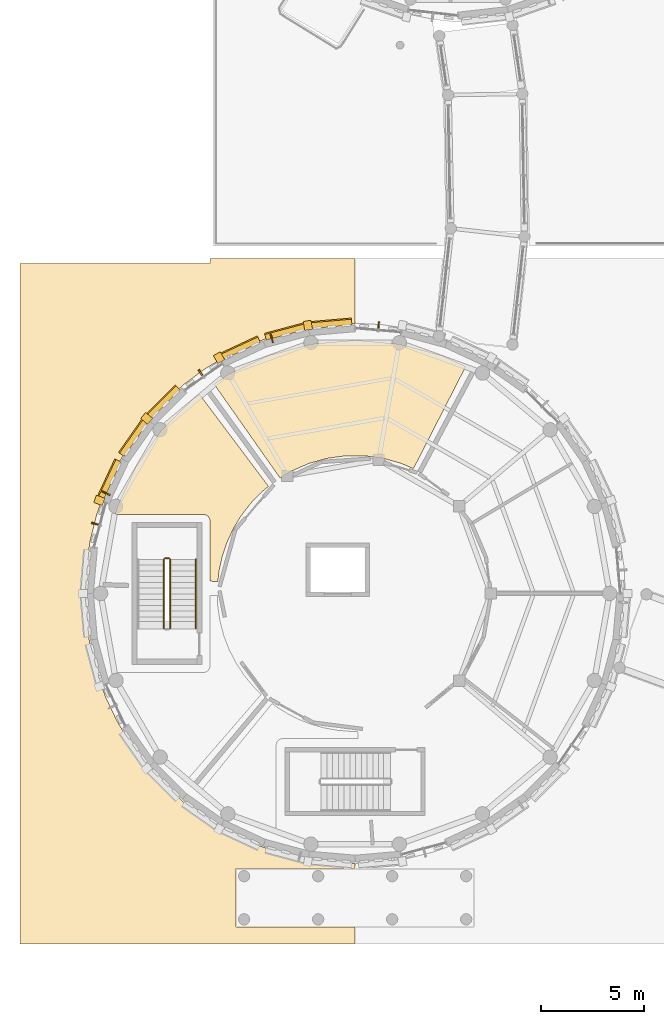
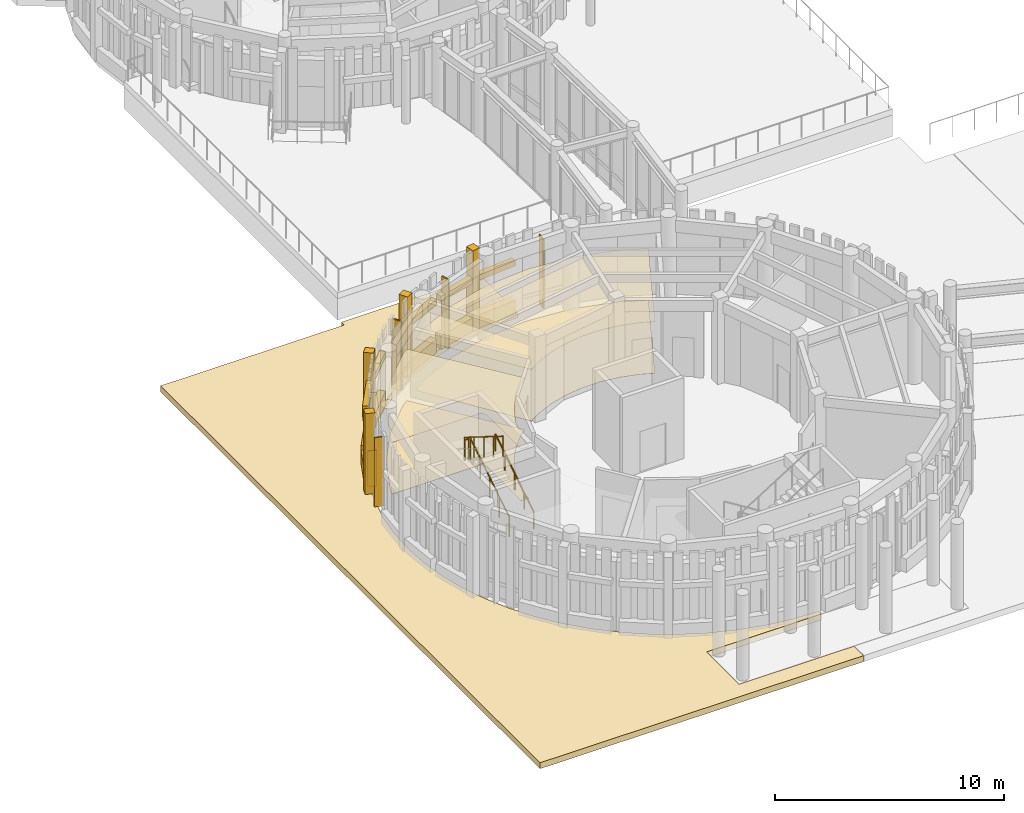
# One storey, part 68 of 94: 21 coverings, 5 shading devices, 4 railings.
"""IFC4 building model written with IfcOpenShell, lengths in metres."""

from ifc_helpers import new_model, si_unit, direction, frame, origin, origin_2d, place, context, subcontext, project, spatial, polyline, rectangle, circle, outline, extrude, material, layer, layer_set, type_object, element, save


model = new_model("IFC4")

# Units and contexts
model_context = context("Model", 3, precision=1e-05, world=origin(), true_north=direction((0.0, 1.0)))
body_context = subcontext(model_context, "Body", "Model", "MODEL_VIEW")
ifc_project = project(units=[si_unit("LENGTHUNIT", "METRE"), si_unit("AREAUNIT", "SQUARE_METRE"), si_unit("VOLUMEUNIT", "CUBIC_METRE"), si_unit("PLANEANGLEUNIT", "RADIAN"), si_unit("MASSUNIT", "GRAM", prefix="KILO")], contexts=[model_context])

# Site, building, storey
site_placement = place(None, origin())
site = spatial("IfcSite", under=ifc_project, at=site_placement, CompositionType="ELEMENT")
building_placement = place(site_placement, origin())
building = spatial("IfcBuilding", under=site, at=building_placement, Name="Aldenvaro Health Centre", CompositionType="ELEMENT")
storey_placement = place(building_placement, origin())
storey = spatial("IfcBuildingStorey", under=building, at=storey_placement, Name="L00", CompositionType="ELEMENT", Elevation=0.0)

# Coverings
ifc_material_1 = material(Name="Antimicrobial Mineral Fibre Ceiling")
ifc_layer_1 = layer(ifc_material_1, 0.01806640625, Name="Antimicrobial Mineral Fibre Ceiling")
ifc_layer_set_1 = layer_set([ifc_layer_1], Name="Antimicrobial Mineral Fibre Ceiling")
covering_type_1 = type_object("IfcCoveringType", Name="COV-CLG-ACT18", PredefinedType="CEILING", material=ifc_layer_set_1)
covering_1_placement = place(storey_placement, frame((0.0, 0.0, 2.75)))
element("IfcCovering", 1, at=covering_1_placement, inside=storey, type_object=covering_type_1, Name="D5-L00-R01 Suspended Ceiling", PredefinedType="CEILING", context=body_context, shape_type="SweptSolid", body=[
    extrude(outline(polyline([(20.736083984375, 24.825927734375), (20.705078125, 24.8369140625), (19.85888671875, 25.070068359375), (19.826904296875, 25.076904296875), (18.9580078125, 25.194091796875), (18.926025390625, 25.196044921875), (18.048095703125, 25.194091796875), (18.01611328125, 25.19189453125), (17.14697265625, 25.072021484375), (17.114990234375, 25.06494140625), (16.27001953125, 24.827880859375), (16.239013671875, 24.81689453125), (15.43505859375, 24.468017578125), (15.406005859375, 24.452880859375), (14.846923828125, 24.114990234375), (11.639892578125, 28.677978515625), (12.341064453125, 29.1689453125), (14.287109375, 30.075927734375), (16.361083984375, 30.632080078125), (18.5, 30.819091796875), (20.638916015625, 30.632080078125), (22.712890625, 30.075927734375), (23.876953125, 29.533935546875), (21.3359375, 24.569091796875), (20.736083984375, 24.825927734375)])), origin(), (0.0, 0.0, 1.0), 0.01806640625),
])
covering_2_placement = place(storey_placement, frame((0.0, 0.0, 2.75)))
element("IfcCovering", 2, at=covering_2_placement, inside=storey, type_object=covering_type_1, Name="D5-L00-R02 Suspended Ceiling", PredefinedType="CEILING", context=body_context, shape_type="SweptSolid", body=[
    extrude(outline(polyline([(13.9189453125, 23.402099609375), (13.89892578125, 23.384033203125), (13.409912109375, 22.8720703125), (13.39306640625, 22.85205078125), (12.962890625, 22.2890625), (12.947998046875, 22.26806640625), (12.58203125, 21.662109375), (12.570068359375, 21.637939453125), (12.27197265625, 20.99609375), (12.261962890625, 20.970947265625), (12.035888671875, 20.300048828125), (12.029052734375, 20.27490234375), (11.8779296875, 19.5830078125), (11.8740234375, 19.556884765625), (11.823974609375, 19.0791015625), (11.43994140625, 19.097900390625), (11.43994140625, 22.02001953125), (11.43994140625, 22.031982421875), (11.43896484375, 22.0400390625), (11.43701171875, 22.06298828125), (11.43603515625, 22.071044921875), (11.430908203125, 22.093994140625), (11.428955078125, 22.10205078125), (11.423095703125, 22.1240234375), (11.419921875, 22.131103515625), (11.410888671875, 22.153076171875), (11.407958984375, 22.159912109375), (11.39599609375, 22.180908203125), (11.39208984375, 22.18798828125), (11.37890625, 22.20703125), (11.375, 22.214111328125), (11.360107421875, 22.23193359375), (11.35400390625, 22.238037109375), (11.337890625, 22.25390625), (11.33203125, 22.260009765625), (11.31396484375, 22.27490234375), (11.306884765625, 22.279052734375), (11.2880859375, 22.2919921875), (11.281005859375, 22.2958984375), (11.260009765625, 22.30810546875), (11.2529296875, 22.31103515625), (11.23095703125, 22.320068359375), (11.22412109375, 22.322998046875), (11.201904296875, 22.3291015625), (11.194091796875, 22.3310546875), (11.1708984375, 22.3359375), (11.1630859375, 22.3369140625), (11.139892578125, 22.339111328125), (11.132080078125, 22.340087890625), (11.1201171875, 22.340087890625), (6.823974609375, 22.340087890625), (6.924072265625, 22.712890625), (7.8310546875, 24.658935546875), (9.06298828125, 26.4189453125), (10.5810546875, 27.93701171875), (10.930908203125, 28.181884765625), (14.287109375, 23.7119140625), (13.9189453125, 23.402099609375)])), origin(), (0.0, 0.0, 1.0), 0.01806640625),
])
ifc_material_2 = material(Name="Honed Sonoran Buff Limestone", Category="masonry")
ifc_layer_2 = layer(ifc_material_2, 0.280029296875, Name="Honed Sonoran Buff Limestone", Category="masonry")
ifc_layer_set_2 = layer_set([ifc_layer_2], Name="Honed Sonoran Buff Limestone")
covering_type_2 = type_object("IfcCoveringType", Name="COV-CRN-STN", PredefinedType="CLADDING", material=ifc_layer_set_2)
covering_3_placement = place(storey_placement, frame((6.544921875, 24.074951171875, 0.0), z_axis=(0.0, 0.0, 1.0), x_axis=(0.422495879545, 0.906364844733, 0.0)))
element("IfcCovering", 3, at=covering_3_placement, inside=storey, type_object=covering_type_2, Name="D5 L00 Rusticated Limestone Plinth 21.1", PredefinedType="CLADDING", context=body_context, shape_type="SweptSolid", body=[
    extrude(rectangle(XDim=1.968994140625, YDim=0.340087890625, at=origin_2d()), origin(), (0.0, 0.0, 1.0), 0.719970703125),
])
covering_4_placement = place(storey_placement, frame((6.572021484375, 24.06201171875, 2.5498046875), z_axis=(0.0, 0.0, 1.0), x_axis=(0.422495879545, 0.906364844733, 0.0)))
element("IfcCovering", 4, at=covering_4_placement, inside=storey, type_object=covering_type_2, Name="D5 L00 Rusticated Limestone Plinth 21.2", PredefinedType="CLADDING", context=body_context, shape_type="SweptSolid", body=[
    extrude(rectangle(XDim=1.968994140625, YDim=0.280029296875, at=origin_2d()), origin(), (0.0, 0.0, 1.0), 0.280029296875),
])
covering_5_placement = place(storey_placement, frame((6.05810546875, 23.028076171875, -0.00048828125), z_axis=(0.0, 0.0, 1.0), x_axis=(-0.939693796234, 0.34201691379, 0.0)))
element("IfcCovering", 5, at=covering_5_placement, inside=storey, type_object=covering_type_2, Name="D5 L00 Engaged Classical Limestone Pilaster 11", PredefinedType="CLADDING", context=body_context, shape_type="SweptSolid", body=[
    extrude(rectangle(XDim=0.43994140625, YDim=0.3798828125, at=origin_2d()), origin(), (0.0, 0.0, 1.0), 4.304931640625),
])
covering_6_placement = place(storey_placement, frame((7.695068359375, 26.06591796875, 0.0), z_axis=(0.0, 0.0, 1.0), x_axis=(0.573641397746, 0.819106553991, 0.0)))
element("IfcCovering", 6, at=covering_6_placement, inside=storey, type_object=covering_type_2, Name="D5 L00 Rusticated Limestone Plinth 22.1", PredefinedType="CLADDING", context=body_context, shape_type="SweptSolid", body=[
    extrude(rectangle(XDim=1.968994140625, YDim=0.340087890625, at=origin_2d()), origin(), (0.0, 0.0, 1.0), 0.719970703125),
])
covering_7_placement = place(storey_placement, frame((7.718994140625, 26.049072265625, 2.5498046875), z_axis=(0.0, 0.0, 1.0), x_axis=(0.573641397746, 0.819106553991, 0.0)))
element("IfcCovering", 7, at=covering_7_placement, inside=storey, type_object=covering_type_2, Name="D5 L00 Rusticated Limestone Plinth 22.2", PredefinedType="CLADDING", context=body_context, shape_type="SweptSolid", body=[
    extrude(rectangle(XDim=1.968994140625, YDim=0.280029296875, at=origin_2d()), origin(), (0.0, 0.0, 1.0), 0.280029296875),
])
covering_8_placement = place(storey_placement, frame((9.173095703125, 27.826904296875, 0.0), z_axis=(0.0, 0.0, 1.0), x_axis=(0.707106781187, 0.707106781187, 0.0)))
element("IfcCovering", 8, at=covering_8_placement, inside=storey, type_object=covering_type_2, Name="D5 L00 Rusticated Limestone Plinth 23.1", PredefinedType="CLADDING", context=body_context, shape_type="SweptSolid", body=[
    extrude(rectangle(XDim=1.968994140625, YDim=0.340087890625, at=origin_2d()), origin(), (0.0, 0.0, 1.0), 0.719970703125),
])
covering_9_placement = place(storey_placement, frame((9.194091796875, 27.805908203125, 2.5498046875), z_axis=(0.0, 0.0, 1.0), x_axis=(0.707106781187, 0.707106781187, 0.0)))
element("IfcCovering", 9, at=covering_9_placement, inside=storey, type_object=covering_type_2, Name="D5 L00 Rusticated Limestone Plinth 23.2", PredefinedType="CLADDING", context=body_context, shape_type="SweptSolid", body=[
    extrude(rectangle(XDim=1.968994140625, YDim=0.280029296875, at=origin_2d()), origin(), (0.0, 0.0, 1.0), 0.280029296875),
])
covering_10_placement = place(storey_placement, frame((8.35791015625, 27.010986328125, -0.00048828125), z_axis=(0.0, 0.0, 1.0), x_axis=(-0.76604377724, 0.642788403249, 0.0)))
element("IfcCovering", 10, at=covering_10_placement, inside=storey, type_object=covering_type_2, Name="D5 L00 Engaged Classical Limestone Pilaster 12", PredefinedType="CLADDING", context=body_context, shape_type="SweptSolid", body=[
    extrude(rectangle(XDim=0.43994140625, YDim=0.3798828125, at=origin_2d()), origin(), (0.0, 0.0, 1.0), 4.304931640625),
])
covering_11_placement = place(storey_placement, frame((12.925048828125, 30.455078125, 0.0), z_axis=(0.0, 0.0, 1.0), x_axis=(0.906364844733, 0.422495879545, 0.0)))
element("IfcCovering", 11, at=covering_11_placement, inside=storey, type_object=covering_type_2, Name="D5 L00 Rusticated Limestone Plinth 25.1", PredefinedType="CLADDING", context=body_context, shape_type="SweptSolid", body=[
    extrude(rectangle(XDim=1.968994140625, YDim=0.340087890625, at=origin_2d()), origin(), (0.0, 0.0, 1.0), 0.719970703125),
])
covering_12_placement = place(storey_placement, frame((12.93798828125, 30.427978515625, 2.5498046875), z_axis=(0.0, 0.0, 1.0), x_axis=(0.906364844733, 0.422495879545, 0.0)))
element("IfcCovering", 12, at=covering_12_placement, inside=storey, type_object=covering_type_2, Name="D5 L00 Rusticated Limestone Plinth 25.2", PredefinedType="CLADDING", context=body_context, shape_type="SweptSolid", body=[
    extrude(rectangle(XDim=1.968994140625, YDim=0.280029296875, at=origin_2d()), origin(), (0.0, 0.0, 1.0), 0.280029296875),
])
covering_13_placement = place(storey_placement, frame((11.8798828125, 29.966064453125, -0.00048828125), z_axis=(0.0, 0.0, 1.0), x_axis=(-0.499990860177, 0.8660306806, 0.0)))
element("IfcCovering", 13, at=covering_13_placement, inside=storey, type_object=covering_type_2, Name="D5 L00 Engaged Classical Limestone Pilaster 13", PredefinedType="CLADDING", context=body_context, shape_type="SweptSolid", body=[
    extrude(rectangle(XDim=0.43994140625, YDim=0.3798828125, at=origin_2d()), origin(), (0.0, 0.0, 1.0), 4.304931640625),
])
covering_14_placement = place(storey_placement, frame((15.0859375, 31.240966796875, 0.0), z_axis=(0.0, 0.0, 1.0), x_axis=(0.9659242304, 0.258825000966, 0.0)))
element("IfcCovering", 14, at=covering_14_placement, inside=storey, type_object=covering_type_2, Name="D5 L00 Rusticated Limestone Plinth 26.1", PredefinedType="CLADDING", context=body_context, shape_type="SweptSolid", body=[
    extrude(rectangle(XDim=1.968994140625, YDim=0.340087890625, at=origin_2d()), origin(), (0.0, 0.0, 1.0), 0.719970703125),
])
covering_15_placement = place(storey_placement, frame((15.093994140625, 31.2119140625, 2.5498046875), z_axis=(0.0, 0.0, 1.0), x_axis=(0.9659242304, 0.258825000966, 0.0)))
element("IfcCovering", 15, at=covering_15_placement, inside=storey, type_object=covering_type_2, Name="D5 L00 Rusticated Limestone Plinth 26.2", PredefinedType="CLADDING", context=body_context, shape_type="SweptSolid", body=[
    extrude(rectangle(XDim=1.968994140625, YDim=0.280029296875, at=origin_2d()), origin(), (0.0, 0.0, 1.0), 0.280029296875),
])
covering_16_placement = place(storey_placement, frame((17.35009765625, 31.64111328125, 0.0), z_axis=(0.0, 0.0, 1.0), x_axis=(0.996193717495, 0.087166950289, 0.0)))
element("IfcCovering", 16, at=covering_16_placement, inside=storey, type_object=covering_type_2, Name="D5 L00 Rusticated Limestone Plinth 27.1", PredefinedType="CLADDING", context=body_context, shape_type="SweptSolid", body=[
    extrude(rectangle(XDim=1.968994140625, YDim=0.340087890625, at=origin_2d()), origin(), (0.0, 0.0, 1.0), 0.719970703125),
])
covering_17_placement = place(storey_placement, frame((17.35302734375, 31.611083984375, 2.5498046875), z_axis=(0.0, 0.0, 1.0), x_axis=(0.996193717495, 0.087166950289, 0.0)))
element("IfcCovering", 17, at=covering_17_placement, inside=storey, type_object=covering_type_2, Name="D5 L00 Rusticated Limestone Plinth 27.2", PredefinedType="CLADDING", context=body_context, shape_type="SweptSolid", body=[
    extrude(rectangle(XDim=1.968994140625, YDim=0.280029296875, at=origin_2d()), origin(), (0.0, 0.0, 1.0), 0.280029296875),
])
covering_18_placement = place(storey_placement, frame((16.200927734375, 31.5390625, -0.00048828125), z_axis=(0.0, 0.0, 1.0), x_axis=(-0.173643819888, 0.984808521396, 0.0)))
element("IfcCovering", 18, at=covering_18_placement, inside=storey, type_object=covering_type_2, Name="D5 L00 Engaged Classical Limestone Pilaster 14", PredefinedType="CLADDING", context=body_context, shape_type="SweptSolid", body=[
    extrude(rectangle(XDim=0.43994140625, YDim=0.3798828125, at=origin_2d()), origin(), (0.0, 0.0, 1.0), 4.304931640625),
])
ifc_material_3 = material(Name="Seamless Homogeneous Sheet Vinyl")
ifc_layer_3 = layer(ifc_material_3, 0.013916015625, Name="Seamless Homogeneous Sheet Vinyl")
ifc_layer_set_3 = layer_set([ifc_layer_3], Name="Seamless Homogeneous Sheet Vinyl")
covering_type_3 = type_object("IfcCoveringType", Name="COV-FLR-VNL14", PredefinedType="FLOORING", material=ifc_layer_set_3)
covering_19_placement = place(storey_placement, origin())
element("IfcCovering", 19, at=covering_19_placement, inside=storey, type_object=covering_type_3, Name="D5-L00-R01 Flooring", PredefinedType="FLOORING", context=body_context, shape_type="SweptSolid", body=[
    extrude(outline(polyline([(20.736083984375, 24.825927734375), (20.705078125, 24.8369140625), (19.85888671875, 25.070068359375), (19.826904296875, 25.076904296875), (18.9580078125, 25.194091796875), (18.926025390625, 25.196044921875), (18.048095703125, 25.194091796875), (18.01611328125, 25.19189453125), (17.14697265625, 25.072021484375), (17.114990234375, 25.06494140625), (16.27001953125, 24.827880859375), (16.239013671875, 24.81689453125), (15.43505859375, 24.468017578125), (15.406005859375, 24.452880859375), (14.846923828125, 24.114990234375), (11.639892578125, 28.677978515625), (12.341064453125, 29.1689453125), (14.287109375, 30.075927734375), (16.361083984375, 30.632080078125), (18.5, 30.819091796875), (20.638916015625, 30.632080078125), (22.712890625, 30.075927734375), (23.876953125, 29.533935546875), (21.3359375, 24.569091796875), (20.736083984375, 24.825927734375)])), origin(), (0.0, 0.0, 1.0), 0.013916015625),
])
covering_20_placement = place(storey_placement, origin())
element("IfcCovering", 20, at=covering_20_placement, inside=storey, type_object=covering_type_3, Name="D5-L00-R02 Flooring", PredefinedType="FLOORING", context=body_context, shape_type="SweptSolid", body=[
    extrude(outline(polyline([(13.9189453125, 23.402099609375), (13.89892578125, 23.384033203125), (13.409912109375, 22.8720703125), (13.39306640625, 22.85205078125), (12.962890625, 22.2890625), (12.947998046875, 22.26806640625), (12.58203125, 21.662109375), (12.570068359375, 21.637939453125), (12.27197265625, 20.99609375), (12.261962890625, 20.970947265625), (12.035888671875, 20.300048828125), (12.029052734375, 20.27490234375), (11.8779296875, 19.5830078125), (11.8740234375, 19.556884765625), (11.823974609375, 19.0791015625), (11.43994140625, 19.097900390625), (11.43994140625, 22.02001953125), (11.43994140625, 22.031982421875), (11.43896484375, 22.0400390625), (11.43701171875, 22.06298828125), (11.43603515625, 22.071044921875), (11.430908203125, 22.093994140625), (11.428955078125, 22.10205078125), (11.423095703125, 22.1240234375), (11.419921875, 22.131103515625), (11.410888671875, 22.153076171875), (11.407958984375, 22.159912109375), (11.39599609375, 22.180908203125), (11.39208984375, 22.18798828125), (11.37890625, 22.20703125), (11.375, 22.214111328125), (11.360107421875, 22.23193359375), (11.35400390625, 22.238037109375), (11.337890625, 22.25390625), (11.33203125, 22.260009765625), (11.31396484375, 22.27490234375), (11.306884765625, 22.279052734375), (11.2880859375, 22.2919921875), (11.281005859375, 22.2958984375), (11.260009765625, 22.30810546875), (11.2529296875, 22.31103515625), (11.23095703125, 22.320068359375), (11.22412109375, 22.322998046875), (11.201904296875, 22.3291015625), (11.194091796875, 22.3310546875), (11.1708984375, 22.3359375), (11.1630859375, 22.3369140625), (11.139892578125, 22.339111328125), (11.132080078125, 22.340087890625), (11.1201171875, 22.340087890625), (6.823974609375, 22.340087890625), (6.924072265625, 22.712890625), (7.8310546875, 24.658935546875), (9.06298828125, 26.4189453125), (10.5810546875, 27.93701171875), (10.930908203125, 28.181884765625), (14.287109375, 23.7119140625), (13.9189453125, 23.402099609375)])), origin(), (0.0, 0.0, 1.0), 0.013916015625),
])
ifc_material_4 = material(Name="Honed Sonoran Buff Travertine", Category="masonry")
ifc_layer_4 = layer(ifc_material_4, 0.320068359375, Name="Honed Sonoran Buff Travertine", Category="masonry")
ifc_layer_set_4 = layer_set([ifc_layer_4], Name="Honed Sonoran Buff Travertine")
covering_type_4 = type_object("IfcCoveringType", Name="COV-POD-320", PredefinedType="FLOORING", material=ifc_layer_set_4)
covering_21_placement = place(storey_placement, frame((0.0, 0.0, -0.320068359375)))
element("IfcCovering", 21, at=covering_21_placement, inside=storey, type_object=covering_type_4, Name="South Street Entrance Stylobate Forecourt Section 1", PredefinedType="FLOORING", context=body_context, shape_type="SweptSolid", body=[
    extrude(outline(polyline([(2.199951171875, 1.449951171875), (2.199951171875, 34.550048828125), (11.449951171875, 34.550048828125), (11.449951171875, 34.800048828125), (18.48388671875, 34.800048828125), (18.48388671875, 31.638916015625), (17.2119140625, 31.576904296875), (15.93701171875, 31.387939453125), (14.68603515625, 31.073974609375), (13.471923828125, 30.639892578125), (12.305908203125, 30.087890625), (11.199951171875, 29.426025390625), (10.1640625, 28.656982421875), (9.208984375, 27.791015625), (8.343017578125, 26.8359375), (7.573974609375, 25.800048828125), (6.912109375, 24.694091796875), (6.360107421875, 23.528076171875), (5.926025390625, 22.31396484375), (5.612060546875, 21.06298828125), (5.423095703125, 19.7880859375), (5.360107421875, 18.5), (5.423095703125, 17.2119140625), (5.612060546875, 15.93701171875), (5.926025390625, 14.68603515625), (6.360107421875, 13.471923828125), (6.912109375, 12.305908203125), (7.573974609375, 11.199951171875), (8.343017578125, 10.1640625), (9.208984375, 9.208984375), (10.1640625, 8.343017578125), (11.199951171875, 7.573974609375), (12.305908203125, 6.912109375), (13.471923828125, 6.360107421875), (14.68603515625, 5.926025390625), (15.93701171875, 5.612060546875), (17.2119140625, 5.423095703125), (18.48388671875, 5.361083984375), (18.48388671875, 5.112060546875), (12.716064453125, 5.1201171875), (12.70703125, 2.284912109375), (18.48388671875, 2.281982421875), (18.48388671875, 1.449951171875), (2.199951171875, 1.449951171875)])), origin(), (0.0, 0.0, 1.0), 0.320068359375),
])

# Railings
ifc_material_5 = material(Name="Painted Architectural Steel", Category="steel")
railing_type_1 = type_object("IfcRailingType", Name="RL-BAL-INT", PredefinedType="BALUSTRADE", material=ifc_material_5)
railing_1_placement = place(storey_placement, frame((9.5, 16.800048828125, 0.175048828125)))
element("IfcRailing", 22, at=railing_1_placement, inside=storey, type_object=railing_type_1, Name="L00 ST-09 stair guard 1", PredefinedType="BALUSTRADE", context=body_context, shape_type="SweptSolid", body=[
    extrude(circle(Radius=0.02392578125, at=origin_2d()), frame((0.0, 0.0, 1.076171875), z_axis=(0.0, 0.848005227453, 0.529987862325), x_axis=(-1.0, 0.0, 0.0)), (0.0, 0.0, 1.0), 3.962158203125),
    extrude(circle(Radius=0.02099609375, at=origin_2d()), origin(), (0.0, 0.0, 1.0), 1.052001953125),
    extrude(circle(Radius=0.02099609375, at=origin_2d()), frame((0.0, 0.83984375, 0.52490234375)), (0.0, 0.0, 1.0), 1.052001953125),
    extrude(circle(Radius=0.02099609375, at=origin_2d()), frame((0.0, 1.679931640625, 1.0498046875)), (0.0, 0.0, 1.0), 1.052001953125),
    extrude(circle(Radius=0.02099609375, at=origin_2d()), frame((0.0, 2.52001953125, 1.574951171875)), (0.0, 0.0, 1.0), 1.052001953125),
    extrude(circle(Radius=0.02099609375, at=origin_2d()), frame((0.0, 3.35986328125, 2.099853515625)), (0.0, 0.0, 1.0), 1.052001953125),
])
railing_2_placement = place(storey_placement, frame((9.449951171875, 20.2099609375, 2.27490234375)))
element("IfcRailing", 23, at=railing_2_placement, inside=storey, type_object=railing_type_1, Name="L00 ST-09 stair guard 2", PredefinedType="BALUSTRADE", context=body_context, shape_type="SweptSolid", body=[
    extrude(circle(Radius=0.02392578125, at=origin_2d()), frame((0.0, 0.0, 1.076171875), z_axis=(-1.0, 0.0, 0.0), x_axis=(0.0, -1.0, 0.0)), (0.0, 0.0, 1.0), 0.199951171875),
    extrude(circle(Radius=0.02099609375, at=origin_2d()), origin(), (0.0, 0.0, 1.0), 1.052001953125),
    extrude(circle(Radius=0.02099609375, at=origin_2d()), frame((-0.199951171875, 0.0, 0.0)), (0.0, 0.0, 1.0), 1.052001953125),
])
railing_3_placement = place(storey_placement, frame((9.199951171875, 20.159912109375, 2.449951171875)))
element("IfcRailing", 24, at=railing_3_placement, inside=storey, type_object=railing_type_1, Name="L00 ST-09 stair guard 3", PredefinedType="BALUSTRADE", context=body_context, shape_type="SweptSolid", body=[
    extrude(circle(Radius=0.02392578125, at=origin_2d()), frame((0.0, 0.0, 1.076171875), z_axis=(0.0, -0.847977533471, 0.530032171408), x_axis=(1.0, 0.0, 0.0)), (0.0, 0.0, 1.0), 3.962158203125),
    extrude(circle(Radius=0.02099609375, at=origin_2d()), origin(), (0.0, 0.0, 1.0), 1.052001953125),
    extrude(circle(Radius=0.02099609375, at=origin_2d()), frame((0.0, -0.83984375, 0.52490234375)), (0.0, 0.0, 1.0), 1.052001953125),
    extrude(circle(Radius=0.02099609375, at=origin_2d()), frame((0.0, -1.679931640625, 1.050048828125)), (0.0, 0.0, 1.0), 1.052001953125),
    extrude(circle(Radius=0.02099609375, at=origin_2d()), frame((0.0, -2.52001953125, 1.5751953125)), (0.0, 0.0, 1.0), 1.052001953125),
    extrude(circle(Radius=0.02099609375, at=origin_2d()), frame((0.0, -3.35986328125, 2.10009765625)), (0.0, 0.0, 1.0), 1.052001953125),
])
railing_type_2 = type_object("IfcRailingType", Name="RL-HND-INT", PredefinedType="HANDRAIL", material=ifc_material_5)
railing_4_placement = place(storey_placement, frame((10.75, 16.800048828125, 0.175048828125)))
element("IfcRailing", 25, at=railing_4_placement, inside=storey, type_object=railing_type_2, Name="L00 ST-09 stair handrail 1", PredefinedType="HANDRAIL", context=body_context, shape_type="SweptSolid", body=[
    extrude(circle(Radius=0.02392578125, at=origin_2d()), frame((0.0, 0.0, 0.8759765625), z_axis=(0.0, 0.848005227453, 0.529987862325), x_axis=(-1.0, 0.0, 0.0)), (0.0, 0.0, 1.0), 3.962158203125),
    extrude(circle(Radius=0.02099609375, at=origin_2d()), origin(), (0.0, 0.0, 1.0), 0.851806640625),
    extrude(circle(Radius=0.02099609375, at=origin_2d()), frame((0.0, 0.83984375, 0.52490234375)), (0.0, 0.0, 1.0), 0.851806640625),
    extrude(circle(Radius=0.02099609375, at=origin_2d()), frame((0.0, 1.679931640625, 1.0498046875)), (0.0, 0.0, 1.0), 0.851806640625),
    extrude(circle(Radius=0.02099609375, at=origin_2d()), frame((0.0, 2.52001953125, 1.574951171875)), (0.0, 0.0, 1.0), 0.851806640625),
    extrude(circle(Radius=0.02099609375, at=origin_2d()), frame((0.0, 3.35986328125, 2.099853515625)), (0.0, 0.0, 1.0), 0.851806640625),
])

# Shading devices
ifc_material_6 = material(Name="Douglas Fir Exterior Glulam GL28h", Category="wood")
shading_device_type_1 = type_object("IfcShadingDeviceType", Name="SHD-FIN-190", PredefinedType="USERDEFINED", material=ifc_material_6)
shading_device_1_placement = place(storey_placement, frame((6.39697265625, 23.366943359375, -0.02001953125), z_axis=(0.0, 0.0, 1.0), x_axis=(0.422495879545, 0.906364844733, 0.0)))
element("IfcShadingDevice", 26, at=shading_device_1_placement, inside=storey, type_object=shading_device_type_1, Name="D5 L00 Douglas fir fin 21.1", ObjectType="FIN", PredefinedType="USERDEFINED", context=body_context, shape_type="SweptSolid", body=[
    extrude(rectangle(XDim=0.06494140625, YDim=0.419921875, at=origin_2d()), origin(), (0.0, 0.0, 1.0), 1.89990234375),
])
shading_device_type_2 = type_object("IfcShadingDeviceType", Name="SHD-FIN-380", PredefinedType="USERDEFINED", material=ifc_material_6)
shading_device_2_placement = place(storey_placement, frame((11.009033203125, 29.198974609375, -0.0205078125), z_axis=(0.0, 0.0, 1.0), x_axis=(0.819106553991, 0.573641397746, 0.0)))
element("IfcShadingDevice", 27, at=shading_device_2_placement, inside=storey, type_object=shading_device_type_2, Name="D5 L00 vertical timber fin 24.0", ObjectType="FIN", PredefinedType="USERDEFINED", context=body_context, shape_type="SweptSolid", body=[
    extrude(rectangle(XDim=0.074951171875, YDim=0.419921875, at=origin_2d()), origin(), (0.0, 0.0, 1.0), 3.698974609375),
])
shading_device_type_3 = type_object("IfcShadingDeviceType", Name="SHD-FIN-420", PredefinedType="USERDEFINED", material=ifc_material_6)
shading_device_3_placement = place(storey_placement, frame((19.637939453125, 31.510986328125, -0.0205078125), z_axis=(0.0, 0.0, 1.0), x_axis=(0.996193717495, -0.087166950289, 0.0)))
element("IfcShadingDevice", 28, at=shading_device_3_placement, inside=storey, type_object=shading_device_type_3, Name="D5 L00 vertical timber fin 28.0", ObjectType="FIN", PredefinedType="USERDEFINED", context=body_context, shape_type="SweptSolid", body=[
    extrude(rectangle(XDim=0.06494140625, YDim=0.419921875, at=origin_2d()), origin(), (0.0, 0.0, 1.0), 3.698974609375),
])
shading_device_type_4 = type_object("IfcShadingDeviceType", Name="SHD-FIN-455", PredefinedType="USERDEFINED", material=ifc_material_6)
for number, where, z_axis, x_axis, name in (
    (29, (5.884033203125, 21.8798828125, -0.0205078125), (0.0, 0.0, 1.0), (0.258825000966, 0.9659242304, 0.0), "D5 L00 vertical timber fin 20.0"),
    (30, (14.447998046875, 30.89990234375, -0.0205078125), (0.0, 0.0, 1.0), (0.9659242304, 0.258825000966, 0.0), "D5 L00 Douglas fir fin 26.1"),
):
    element("IfcShadingDevice", number, at=place(storey_placement, frame(where, z_axis=z_axis, x_axis=x_axis)), inside=storey, type_object=shading_device_type_4, Name=name, ObjectType="FIN", PredefinedType="USERDEFINED", context=body_context, shape_type="SweptSolid", body=[
        extrude(rectangle(XDim=0.06494140625, YDim=0.419921875, at=origin_2d()), origin(), (0.0, 0.0, 1.0), 3.698974609375),
    ])

save(model, "model.ifc")
